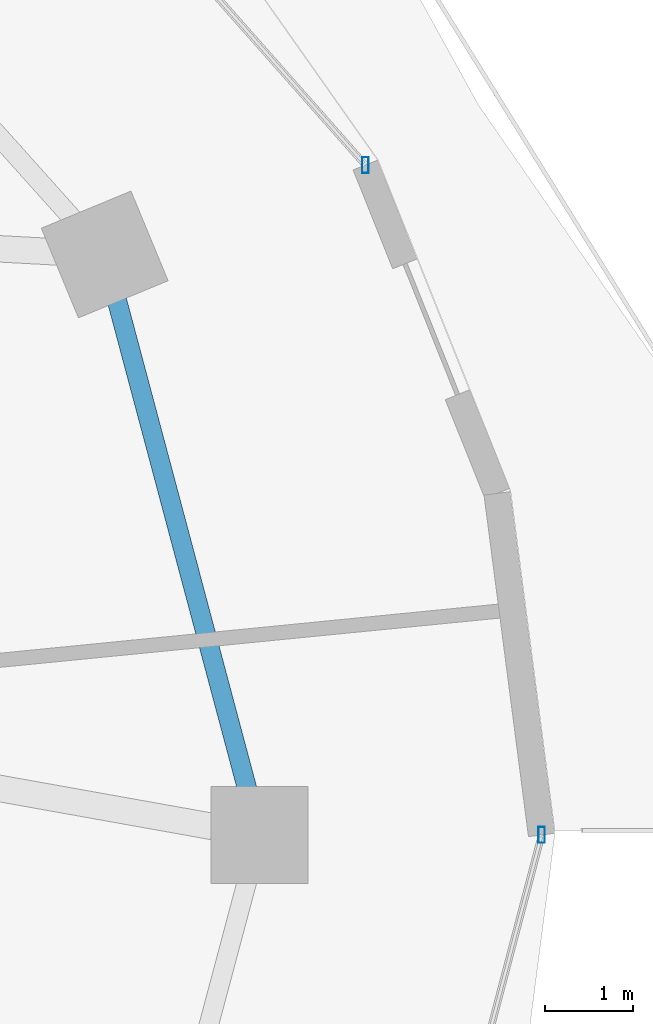
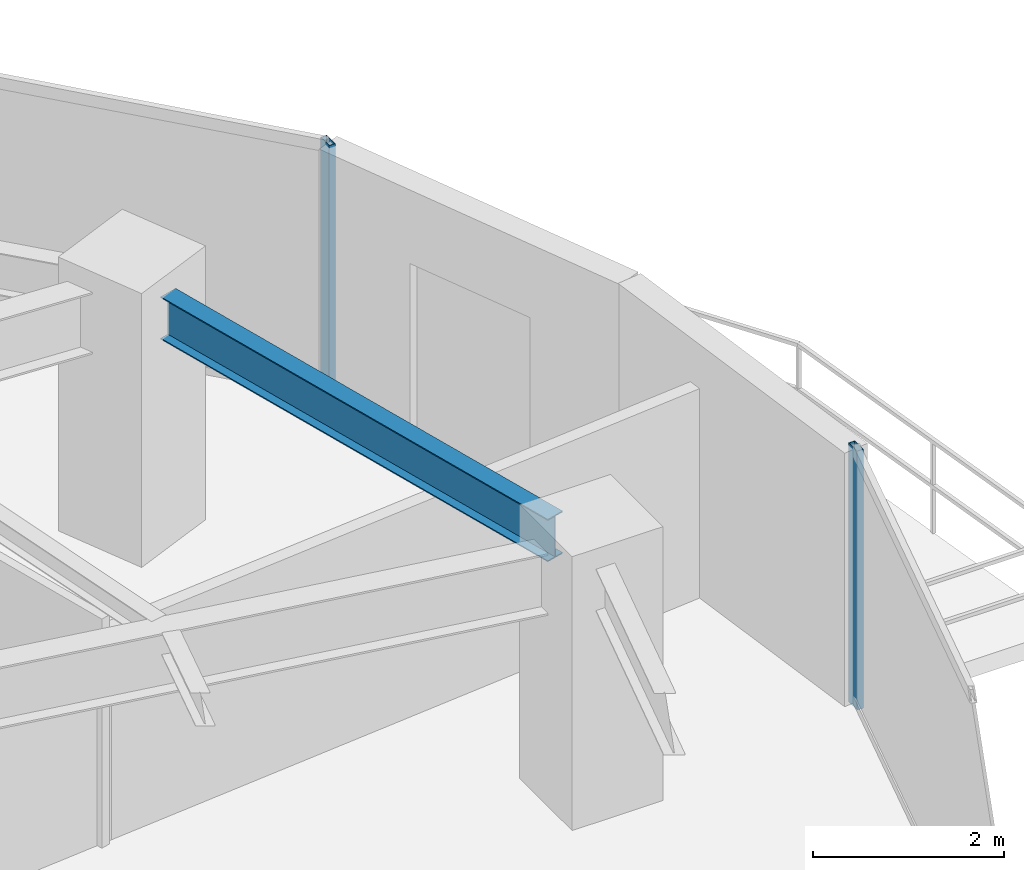
# One storey, part 15 of 29: 2 members, 1 beam, 2 elements without a shape of their own.
"""IFC4 building model written with IfcOpenShell, lengths in metres."""

from ifc_helpers import new_model, si_unit, direction, frame, origin, origin_2d, place, context, subcontext, project, spatial, hollow_rectangle, i_section, extrude, material, material_profile, profile_set, type_object, element, aggregate, save


model = new_model("IFC4")

# Units and contexts
model_context = context("Model", 3, precision=1e-05, world=origin(), true_north=direction((0.0, 1.0)))
body_context = subcontext(model_context, "Body", "Model", "MODEL_VIEW")
ifc_project = project(units=[si_unit("LENGTHUNIT", "METRE"), si_unit("AREAUNIT", "SQUARE_METRE"), si_unit("VOLUMEUNIT", "CUBIC_METRE"), si_unit("PLANEANGLEUNIT", "RADIAN"), si_unit("MASSUNIT", "GRAM", prefix="KILO")], contexts=[model_context])

# Site, building, storey
site_placement = place(None, origin())
site = spatial("IfcSite", under=ifc_project, at=site_placement, CompositionType="ELEMENT")
building_placement = place(site_placement, origin())
building = spatial("IfcBuilding", under=site, at=building_placement, Name="Vorneva Point Tower", CompositionType="ELEMENT")
storey_placement = place(building_placement, frame((0.0, 0.0, 117.300048828125)))
storey = spatial("IfcBuildingStorey", under=building, at=storey_placement, Name="L31", CompositionType="ELEMENT", Elevation=117.300048828125)

# Beam
ifc_material_1 = material(Name="Steel S355", Category="steel")
ifc_material_profile_1 = material_profile(ifc_material_1, i_section(OverallWidth=0.219970703125, OverallDepth=0.54296875, WebThickness=0.009521484375, FlangeThickness=0.013427734375, at=origin_2d()), Name="55B1")
ifc_profile_set_1 = profile_set([ifc_material_profile_1], Name="Steel S355")
beam_type = type_object("IfcBeamType", Name="BM-SPN-55B1", PredefinedType="SPANDREL", material=ifc_profile_set_1)
beam_placement = place(storey_placement, frame((60.912109375, 26.516845703125, 2.968505859375), z_axis=(-0.257572674071, 0.966258928845, 0.0), x_axis=(-0.966258928845, -0.257572674071, 0.0)))
element("IfcBeam", 1, at=beam_placement, inside=storey, type_object=beam_type, Name="L31 Perimeter Spandrel Ring Beam 01", PredefinedType="SPANDREL", context=body_context, shape_type="SweptSolid", body=[
    extrude(i_section(OverallWidth=0.219970703125, OverallDepth=0.54296875, WebThickness=0.009521484375, FlangeThickness=0.013427734375, at=origin_2d()), origin(), (0.0, 0.0, 1.0), 5.7421875),
])

# Curtain wall, member
ifc_material_2 = material(Name="Pale anodised aluminium", Category="aluminium")
curtain_wall_type = type_object("IfcCurtainWallType", Name="CW-HTL-SYS", PredefinedType="NOTDEFINED", material=ifc_material_2)
curtain_wall_1_placement = place(storey_placement, origin())
curtain_wall_1 = element("IfcCurtainWall", 2, at=curtain_wall_1_placement, inside=storey, type_object=curtain_wall_type, Name="L31 Unitised Curtain Wall CW-L31-R01", PredefinedType="NOTDEFINED")
ifc_material_profile_2 = material_profile(ifc_material_2, hollow_rectangle(XDim=0.074951171875, YDim=0.179931640625, WallThickness=0.00390625, at=origin_2d()), Name="AL-MUL 180x75x4")
ifc_profile_set_2 = profile_set([ifc_material_profile_2], Name="Pale anodised aluminium")
member_type = type_object("IfcMemberType", Name="CW-MUL-180", PredefinedType="MULLION", material=ifc_profile_set_2)
member_1_placement = place(storey_placement, frame((62.251708984375, 33.59619140625, -0.0400390625), z_axis=(0.0, 0.0, 1.0), x_axis=(1.0, 0.0, 0.0)))
member_1 = element("IfcMember", 3, at=member_1_placement, type_object=member_type, Name="CW-L31-R01 Mullion 01", PredefinedType="MULLION", context=body_context, shape_type="SweptSolid", body=[
    extrude(hollow_rectangle(XDim=0.074951171875, YDim=0.179931640625, WallThickness=0.00390625, at=origin_2d()), origin(), (0.0, 0.0, 1.0), 3.31005859375),
])
aggregate(curtain_wall_1, [member_1])

curtain_wall_2_placement = place(storey_placement, origin())
curtain_wall_2 = element("IfcCurtainWall", 4, at=curtain_wall_2_placement, inside=storey, type_object=curtain_wall_type, Name="L31 Unitised Curtain Wall CW-L31-R04", PredefinedType="NOTDEFINED")
member_2_placement = place(storey_placement, frame((64.25, 26.0, -0.0400390625), z_axis=(0.0, 0.0, 1.0), x_axis=(1.0, 0.0, 0.0)))
member_2 = element("IfcMember", 5, at=member_2_placement, type_object=member_type, Name="CW-L31-R04 Mullion 03", PredefinedType="MULLION", context=body_context, shape_type="SweptSolid", body=[
    extrude(hollow_rectangle(XDim=0.074951171875, YDim=0.179931640625, WallThickness=0.00390625, at=origin_2d()), origin(), (0.0, 0.0, 1.0), 3.31005859375),
])
aggregate(curtain_wall_2, [member_2])

save(model, "model.ifc")
